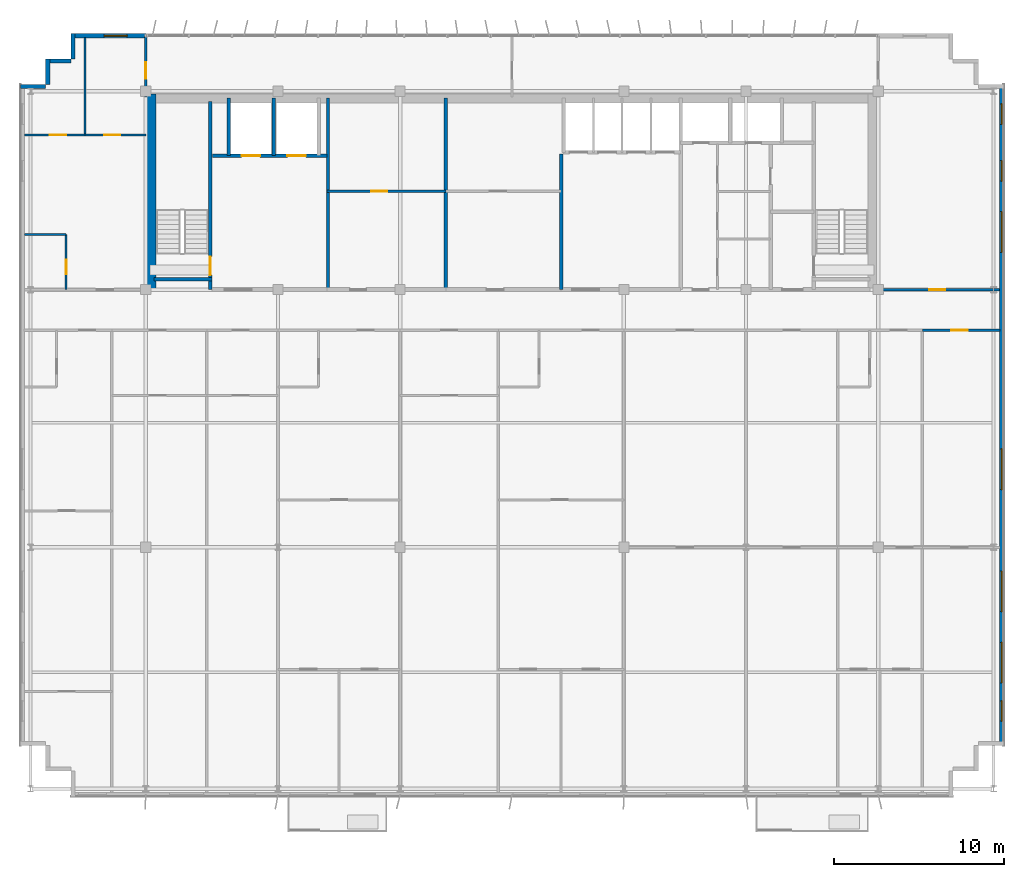
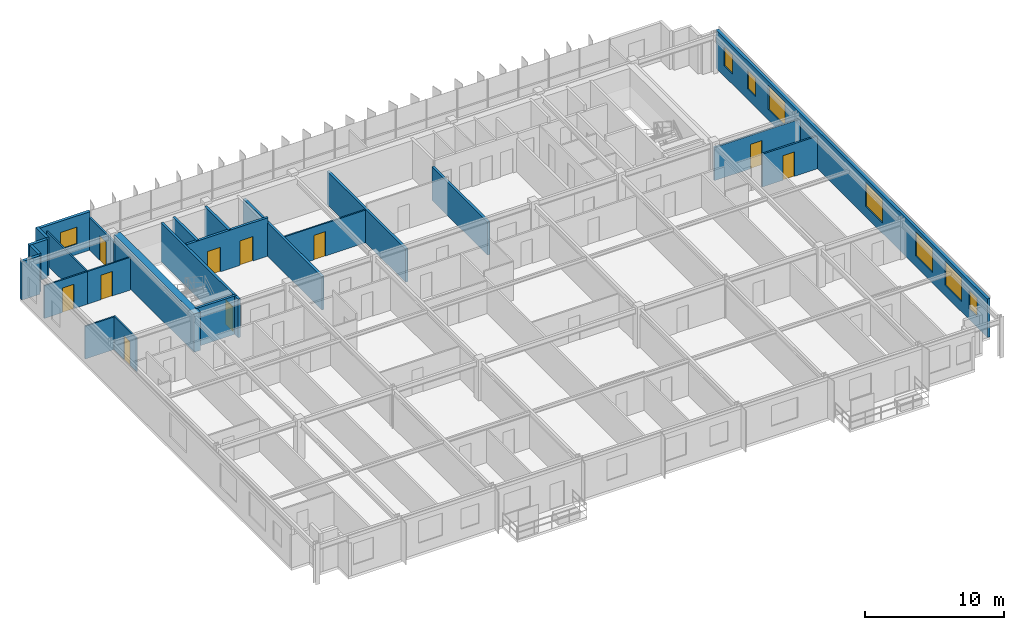
# One storey, part 19 of 23: 24 walls, 10 doors, 8 windows, 18 openings.
"""IFC4 building model written with IfcOpenShell, lengths in metres."""

from ifc_helpers import new_model, si_unit, direction, frame, frame_2d, origin, place, context, subcontext, project, spatial, rectangle, extrude, source, transform, mapped, material, layer, layer_set, type_object, element, fill, save


model = new_model("IFC4")

# Units and contexts
model_context = context("Model", 3, precision=1e-05, world=origin(), true_north=direction((0.0, 1.0)))
body_context = subcontext(model_context, "Body", "Model", "MODEL_VIEW")
ifc_project = project(units=[si_unit("LENGTHUNIT", "METRE"), si_unit("AREAUNIT", "SQUARE_METRE"), si_unit("VOLUMEUNIT", "CUBIC_METRE"), si_unit("PLANEANGLEUNIT", "RADIAN"), si_unit("MASSUNIT", "GRAM", prefix="KILO")], contexts=[model_context])

# Site, building, storey
site_placement = place(None, origin())
site = spatial("IfcSite", under=ifc_project, at=site_placement, CompositionType="ELEMENT")
building_placement = place(site_placement, origin())
building = spatial("IfcBuilding", under=site, at=building_placement, Name="Trelvane Seafront Commons", CompositionType="ELEMENT")
storey_placement = place(building_placement, frame((0.0, 0.0, 259.5)))
storey = spatial("IfcBuildingStorey", under=building, at=storey_placement, Name="L67", CompositionType="ELEMENT", Elevation=259.5)

# Wall, opening, window
ifc_material_1 = material(Name="Precast concrete C40/50", Category="concrete")
ifc_layer_1 = layer(ifc_material_1, 0.239990234375, Name="ARCH-WALL-EXT240")
ifc_layer_set_1 = layer_set([ifc_layer_1], Name="Precast concrete C40/50")
wall_type_1 = type_object("IfcWallType", Name="ARCH-WALL-EXT240", PredefinedType="SOLIDWALL", material=ifc_layer_set_1)
wall_1_placement = place(storey_placement, frame((11.300048828125, 48.3701171875, 0.0), z_axis=(0.0, 0.0, 1.0), x_axis=(1.0, 0.0, 0.0)))
wall_1 = element("IfcWall", 1, at=wall_1_placement, inside=storey, type_object=wall_type_1, Name="EW-L67-NW-1340", PredefinedType="SOLIDWALL", context=body_context, shape_type="SweptSolid", body=[
    extrude(rectangle(XDim=4.300048828125, YDim=0.239990234375, at=frame_2d((2.14990234375, 0.0))), origin(), (0.0, 0.0, 1.0), 3.3701171875),
])
opening_1_placement = place(wall_1_placement, frame((1.847900390625, 0.0, 0.89990234375)))
opening_1 = element("IfcOpeningElement", 2, at=opening_1_placement, cuts=wall_1, Name="Opening W09", PredefinedType="OPENING", context=body_context, shape_type="SweptSolid", body=[
    extrude(rectangle(XDim=1.35009765625, YDim=1.5, at=frame_2d((0.675048828125, 0.75))), frame((0.0, 0.1298828125, 0.0), z_axis=(0.0, -1.0, 0.0), x_axis=(1.0, 0.0, 0.0)), (0.0, 0.0, 1.0), 0.260009765625),
])
ifc_material_2 = material(Name="Low-E coastal double glazing", Category="glass")
window_type_1 = type_object("IfcWindowType", Name="ARCH-WIN-W09", PartitioningType="SINGLE_PANEL", PredefinedType="WINDOW", material=ifc_material_2)
shared_shape_1 = source(origin(), body_context, "Body", "SweptSolid", [
    extrude(rectangle(XDim=1.35009765625, YDim=1.5, at=frame_2d((0.675048828125, 0.75))), frame((0.0, 0.030029296875, 0.0), z_axis=(0.0, -1.0, 0.0), x_axis=(1.0, 0.0, 0.0)), (0.0, 0.0, 1.0), 0.06005859375),
])
window_1_placement = place(opening_1_placement, origin())
window_1 = element("IfcWindow", 3, at=window_1_placement, inside=storey, type_object=window_type_1, Name="WIN-L67-01594", OverallHeight=1.5, OverallWidth=1.35009765625, PartitioningType="SINGLE_PANEL", PredefinedType="WINDOW", context=body_context, shape_type="MappedRepresentation", body=[
    mapped(shared_shape_1, transform((0.0, 0.0, 0.0), x_axis=(1.0, 0.0, 0.0), y_axis=(0.0, 1.0, 0.0), z_axis=(0.0, 0.0, 1.0), scale=1.0)),
])
fill(opening_1, window_1)

# Walls
for number, where, z_axis, x_axis, name in (
    (4, (8.199951171875, 45.3798828125, 0.0), (0.0, 0.0, 1.0), (1.0, 0.0, 0.0), "EW-L67-01346"),
    (5, (9.820068359375, 45.5, 0.0), (0.0, 0.0, 1.0), (0.0, 1.0, 0.0), "EW-L67-01347"),
    (6, (9.699951171875, 46.8798828125, 0.0), (0.0, 0.0, 1.0), (1.0, 0.0, 0.0), "EW-L67-01348"),
    (7, (11.320068359375, 47.0, 0.0), (0.0, 0.0, 1.0), (0.0, 1.0, 0.0), "EW-L67-01349"),
):
    element("IfcWall", number, at=place(storey_placement, frame(where, z_axis=z_axis, x_axis=x_axis)), inside=storey, type_object=wall_type_1, Name=name, PredefinedType="SOLIDWALL", context=body_context, shape_type="SweptSolid", body=[
        extrude(rectangle(XDim=1.5, YDim=0.239990234375, at=frame_2d((0.75, 0.0))), origin(), (0.0, 0.0, 1.0), 3.3701171875),
    ])

# Wall, openings, windows
wall_2_placement = place(storey_placement, frame((66.080078125, 45.5, 0.0), z_axis=(0.0, 0.0, 1.0), x_axis=(0.0, -1.0, 0.0)))
wall_2 = element("IfcWall", 8, at=wall_2_placement, inside=storey, type_object=wall_type_1, Name="EW-L67-01354", PredefinedType="SOLIDWALL", context=body_context, shape_type="SweptSolid", body=[
    extrude(rectangle(XDim=39.0, YDim=0.239990234375, at=frame_2d((19.5, 0.0))), origin(), (0.0, 0.0, 1.0), 3.3701171875),
])
opening_2_placement = place(wall_2_placement, frame((36.35009765625, 0.0, 0.919921875)))
opening_2 = element("IfcOpeningElement", 9, at=opening_2_placement, cuts=wall_2, Name="Opening W05", PredefinedType="OPENING", context=body_context, shape_type="SweptSolid", body=[
    extrude(rectangle(XDim=1.199951171875, YDim=1.64990234375, at=frame_2d((0.60009765625, 0.824951171875))), frame((0.0, 0.1298828125, 0.0), z_axis=(0.0, -1.0, 0.0), x_axis=(1.0, 0.0, 0.0)), (0.0, 0.0, 1.0), 0.260009765625),
])
opening_3_placement = place(wall_2_placement, frame((32.89990234375, 0.0, 0.919921875)))
opening_3 = element("IfcOpeningElement", 10, at=opening_3_placement, cuts=wall_2, Name="Opening W08", PredefinedType="OPENING", context=body_context, shape_type="SweptSolid", body=[
    extrude(rectangle(XDim=2.39990234375, YDim=2.10009765625, at=frame_2d((1.199951171875, 1.050048828125))), frame((0.0, 0.1298828125, 0.0), z_axis=(0.0, -1.0, 0.0), x_axis=(1.0, 0.0, 0.0)), (0.0, 0.0, 1.0), 0.260009765625),
])
opening_4_placement = place(wall_2_placement, frame((28.699951171875, 0.0, 0.919921875)))
opening_4 = element("IfcOpeningElement", 11, at=opening_4_placement, cuts=wall_2, Name="Opening W08", PredefinedType="OPENING", context=body_context, shape_type="SweptSolid", body=[
    extrude(rectangle(XDim=2.39990234375, YDim=2.10009765625, at=frame_2d((1.199951171875, 1.050048828125))), frame((0.0, 0.1298828125, 0.0), z_axis=(0.0, -1.0, 0.0), x_axis=(1.0, 0.0, 0.0)), (0.0, 0.0, 1.0), 0.260009765625),
])
opening_5_placement = place(wall_2_placement, frame((21.5, 0.0, 0.919921875)))
opening_5 = element("IfcOpeningElement", 12, at=opening_5_placement, cuts=wall_2, Name="Opening W08", PredefinedType="OPENING", context=body_context, shape_type="SweptSolid", body=[
    extrude(rectangle(XDim=2.39990234375, YDim=2.10009765625, at=frame_2d((1.199951171875, 1.050048828125))), frame((0.0, 0.1298828125, 0.0), z_axis=(0.0, -1.0, 0.0), x_axis=(1.0, 0.0, 0.0)), (0.0, 0.0, 1.0), 0.260009765625),
])
opening_6_placement = place(wall_2_placement, frame((7.5, 0.0, 0.919921875)))
opening_6 = element("IfcOpeningElement", 13, at=opening_6_placement, cuts=wall_2, Name="Opening W08", PredefinedType="OPENING", context=body_context, shape_type="SweptSolid", body=[
    extrude(rectangle(XDim=2.39990234375, YDim=2.10009765625, at=frame_2d((1.199951171875, 1.050048828125))), frame((0.0, 0.1298828125, 0.0), z_axis=(0.0, -1.0, 0.0), x_axis=(1.0, 0.0, 0.0)), (0.0, 0.0, 1.0), 0.260009765625),
])
opening_7_placement = place(wall_2_placement, frame((4.5, 0.0, 0.919921875)))
opening_7 = element("IfcOpeningElement", 14, at=opening_7_placement, cuts=wall_2, Name="Opening W05", PredefinedType="OPENING", context=body_context, shape_type="SweptSolid", body=[
    extrude(rectangle(XDim=1.199951171875, YDim=1.64990234375, at=frame_2d((0.60009765625, 0.824951171875))), frame((0.0, 0.1298828125, 0.0), z_axis=(0.0, -1.0, 0.0), x_axis=(1.0, 0.0, 0.0)), (0.0, 0.0, 1.0), 0.260009765625),
])
opening_8_placement = place(wall_2_placement, frame((1.14990234375, 0.0, 0.919921875)))
opening_8 = element("IfcOpeningElement", 15, at=opening_8_placement, cuts=wall_2, Name="Opening W05", PredefinedType="OPENING", context=body_context, shape_type="SweptSolid", body=[
    extrude(rectangle(XDim=1.199951171875, YDim=1.64990234375, at=frame_2d((0.60009765625, 0.824951171875))), frame((0.0, 0.1298828125, 0.0), z_axis=(0.0, -1.0, 0.0), x_axis=(1.0, 0.0, 0.0)), (0.0, 0.0, 1.0), 0.260009765625),
])
window_type_2 = type_object("IfcWindowType", Name="ARCH-WIN-W08", PartitioningType="SINGLE_PANEL", PredefinedType="WINDOW", material=ifc_material_2)
shared_shape_2 = source(origin(), body_context, "Body", "SweptSolid", [
    extrude(rectangle(XDim=2.39990234375, YDim=2.10009765625, at=frame_2d((1.199951171875, 1.050048828125))), frame((0.0, 0.030029296875, 0.0), z_axis=(0.0, -1.0, 0.0), x_axis=(1.0, 0.0, 0.0)), (0.0, 0.0, 1.0), 0.06005859375),
])
window_2_placement = place(opening_3_placement, origin())
window_2 = element("IfcWindow", 16, at=window_2_placement, inside=storey, type_object=window_type_2, Name="WIN-L67-EW-01603", OverallHeight=2.10009765625, OverallWidth=2.39990234375, PartitioningType="SINGLE_PANEL", PredefinedType="WINDOW", context=body_context, shape_type="MappedRepresentation", body=[
    mapped(shared_shape_2, transform((0.0, 0.0, 0.0), x_axis=(1.0, 0.0, 0.0), y_axis=(0.0, 1.0, 0.0), z_axis=(0.0, 0.0, 1.0), scale=1.0)),
])
fill(opening_3, window_2)
window_3_placement = place(opening_4_placement, origin())
window_3 = element("IfcWindow", 17, at=window_3_placement, inside=storey, type_object=window_type_2, Name="WIN-L67-EW-01604", OverallHeight=2.10009765625, OverallWidth=2.39990234375, PartitioningType="SINGLE_PANEL", PredefinedType="WINDOW", context=body_context, shape_type="MappedRepresentation", body=[
    mapped(shared_shape_2, transform((0.0, 0.0, 0.0), x_axis=(1.0, 0.0, 0.0), y_axis=(0.0, 1.0, 0.0), z_axis=(0.0, 0.0, 1.0), scale=1.0)),
])
fill(opening_4, window_3)
window_4_placement = place(opening_5_placement, origin())
window_4 = element("IfcWindow", 18, at=window_4_placement, inside=storey, type_object=window_type_2, Name="WIN-L67-EW-01605", OverallHeight=2.10009765625, OverallWidth=2.39990234375, PartitioningType="SINGLE_PANEL", PredefinedType="WINDOW", context=body_context, shape_type="MappedRepresentation", body=[
    mapped(shared_shape_2, transform((0.0, 0.0, 0.0), x_axis=(1.0, 0.0, 0.0), y_axis=(0.0, 1.0, 0.0), z_axis=(0.0, 0.0, 1.0), scale=1.0)),
])
fill(opening_5, window_4)
window_5_placement = place(opening_6_placement, origin())
window_5 = element("IfcWindow", 19, at=window_5_placement, inside=storey, type_object=window_type_2, Name="WIN-L67-EW-01606", OverallHeight=2.10009765625, OverallWidth=2.39990234375, PartitioningType="SINGLE_PANEL", PredefinedType="WINDOW", context=body_context, shape_type="MappedRepresentation", body=[
    mapped(shared_shape_2, transform((0.0, 0.0, 0.0), x_axis=(1.0, 0.0, 0.0), y_axis=(0.0, 1.0, 0.0), z_axis=(0.0, 0.0, 1.0), scale=1.0)),
])
fill(opening_6, window_5)
window_type_3 = type_object("IfcWindowType", Name="ARCH-WIN-W05", PartitioningType="SINGLE_PANEL", PredefinedType="WINDOW", material=ifc_material_2)
shared_shape_3 = source(origin(), body_context, "Body", "SweptSolid", [
    extrude(rectangle(XDim=1.199951171875, YDim=1.64990234375, at=frame_2d((0.60009765625, 0.824951171875))), frame((0.0, 0.030029296875, 0.0), z_axis=(0.0, -1.0, 0.0), x_axis=(1.0, 0.0, 0.0)), (0.0, 0.0, 1.0), 0.06005859375),
])
window_6_placement = place(opening_2_placement, origin())
window_6 = element("IfcWindow", 20, at=window_6_placement, inside=storey, type_object=window_type_3, Name="WIN-L67-EW-01602", OverallHeight=1.64990234375, OverallWidth=1.199951171875, PartitioningType="SINGLE_PANEL", PredefinedType="WINDOW", context=body_context, shape_type="MappedRepresentation", body=[
    mapped(shared_shape_3, transform((0.0, 0.0, 0.0), x_axis=(1.0, 0.0, 0.0), y_axis=(0.0, 1.0, 0.0), z_axis=(0.0, 0.0, 1.0), scale=1.0)),
])
fill(opening_2, window_6)
window_7_placement = place(opening_7_placement, origin())
window_7 = element("IfcWindow", 21, at=window_7_placement, inside=storey, type_object=window_type_3, Name="WIN-L67-EW-01607", OverallHeight=1.64990234375, OverallWidth=1.199951171875, PartitioningType="SINGLE_PANEL", PredefinedType="WINDOW", context=body_context, shape_type="MappedRepresentation", body=[
    mapped(shared_shape_3, transform((0.0, 0.0, 0.0), x_axis=(1.0, 0.0, 0.0), y_axis=(0.0, 1.0, 0.0), z_axis=(0.0, 0.0, 1.0), scale=1.0)),
])
fill(opening_7, window_7)
window_8_placement = place(opening_8_placement, origin())
window_8 = element("IfcWindow", 22, at=window_8_placement, inside=storey, type_object=window_type_3, Name="WIN-L67-EW-01608", OverallHeight=1.64990234375, OverallWidth=1.199951171875, PartitioningType="SINGLE_PANEL", PredefinedType="WINDOW", context=body_context, shape_type="MappedRepresentation", body=[
    mapped(shared_shape_3, transform((0.0, 0.0, 0.0), x_axis=(1.0, 0.0, 0.0), y_axis=(0.0, 1.0, 0.0), z_axis=(0.0, 0.0, 1.0), scale=1.0)),
])
fill(opening_8, window_8)

# Wall, opening, door
ifc_material_3 = material(Name="Gypsum Drywall Acoustic Partition")
ifc_layer_2 = layer(ifc_material_3, 0.1201171875, Name="ARCH-WALL-PART120")
ifc_layer_set_2 = layer_set([ifc_layer_2], Name="Gypsum Drywall Acoustic Partition")
wall_type_2 = type_object("IfcWallType", Name="ARCH-WALL-PART120", PredefinedType="PARTITIONING", material=ifc_layer_set_2)
wall_3_placement = place(storey_placement, frame((26.300048828125, 39.199951171875, 0.0), z_axis=(0.0, 0.0, 1.0), x_axis=(1.0, 0.0, 0.0)))
wall_3 = element("IfcWall", 23, at=wall_3_placement, inside=storey, type_object=wall_type_2, Name="W-L67-FREED-PL-MID-014", PredefinedType="PARTITIONING", context=body_context, shape_type="SweptSolid", body=[
    extrude(rectangle(XDim=7.0, YDim=0.1201171875, at=frame_2d((3.5, 0.0))), origin(), (0.0, 0.0, 1.0), 2.8701171875),
])
opening_9_placement = place(wall_3_placement, frame((2.60009765625, 0.0, 0.0)))
opening_9 = element("IfcOpeningElement", 24, at=opening_9_placement, cuts=wall_3, Name="Opening D-L67-06", PredefinedType="OPENING", context=body_context, shape_type="SweptSolid", body=[
    extrude(rectangle(XDim=0.949951171875, YDim=2.14990234375, at=frame_2d((0.47509765625, 1.074951171875))), frame((0.0, 0.070068359375, 0.0), z_axis=(0.0, -1.0, 0.0), x_axis=(1.0, 0.0, 0.0)), (0.0, 0.0, 1.0), 0.14013671875),
])
ifc_material_4 = material(Name="Acoustic timber door leaf", Category="wood")
door_type_1 = type_object("IfcDoorType", Name="ARCH-DR-INT950", OperationType="NOTDEFINED", PredefinedType="DOOR", material=ifc_material_4)
shared_shape_4 = source(origin(), body_context, "Body", "SweptSolid", [
    extrude(rectangle(XDim=0.949951171875, YDim=2.14990234375, at=frame_2d((0.47509765625, 1.074951171875))), frame((0.0, 0.02490234375, 0.0), z_axis=(0.0, -1.0, 0.0), x_axis=(1.0, 0.0, 0.0)), (0.0, 0.0, 1.0), 0.050048828125),
])
door_1_placement = place(opening_9_placement, origin())
door_1 = element("IfcDoor", 25, at=door_1_placement, inside=storey, type_object=door_type_1, Name="L67 Housekeeping Store Door", OperationType="SINGLE_SWING_RIGHT", OverallHeight=2.14990234375, OverallWidth=0.949951171875, PredefinedType="DOOR", context=body_context, shape_type="MappedRepresentation", body=[
    mapped(shared_shape_4, transform((0.0, 0.0, 0.0), x_axis=(1.0, 0.0, 0.0), y_axis=(0.0, 1.0, 0.0), z_axis=(0.0, 0.0, 1.0), scale=1.0)),
])
fill(opening_9, door_1)

wall_4_placement = place(storey_placement, frame((10.89990234375, 33.39990234375, 0.0), z_axis=(0.0, 0.0, 1.0), x_axis=(0.0, 1.0, 0.0)))
wall_4 = element("IfcWall", 26, at=wall_4_placement, inside=storey, type_object=wall_type_2, Name="W-L67-NW-BE-036", PredefinedType="PARTITIONING", context=body_context, shape_type="SweptSolid", body=[
    extrude(rectangle(XDim=3.25, YDim=0.1201171875, at=frame_2d((1.625, 0.0))), origin(), (0.0, 0.0, 1.0), 2.919921875),
])
opening_10_placement = place(wall_4_placement, frame((0.89990234375, 0.0, 0.0)))
opening_10 = element("IfcOpeningElement", 27, at=opening_10_placement, cuts=wall_4, Name="Opening D-L67-23", PredefinedType="OPENING", context=body_context, shape_type="SweptSolid", body=[
    extrude(rectangle(XDim=0.85009765625, YDim=2.10009765625, at=frame_2d((0.425048828125, 1.050048828125))), frame((0.0, 0.070068359375, 0.0), z_axis=(0.0, -1.0, 0.0), x_axis=(1.0, 0.0, 0.0)), (0.0, 0.0, 1.0), 0.14013671875),
])
door_type_2 = type_object("IfcDoorType", Name="ARCH-DR-INT850", OperationType="NOTDEFINED", PredefinedType="DOOR", material=ifc_material_4)
shared_shape_5 = source(origin(), body_context, "Body", "SweptSolid", [
    extrude(rectangle(XDim=0.85009765625, YDim=2.10009765625, at=frame_2d((0.425048828125, 1.050048828125))), frame((0.0, 0.02490234375, 0.0), z_axis=(0.0, -1.0, 0.0), x_axis=(1.0, 0.0, 0.0)), (0.0, 0.0, 1.0), 0.050048828125),
])
door_2_placement = place(opening_10_placement, origin())
door_2 = element("IfcDoor", 28, at=door_2_placement, inside=storey, type_object=door_type_2, Name="L67 Door 23", OperationType="SINGLE_SWING_LEFT", OverallHeight=2.10009765625, OverallWidth=0.85009765625, PredefinedType="DOOR", context=body_context, shape_type="MappedRepresentation", body=[
    mapped(shared_shape_5, transform((0.0, 0.0, 0.0), x_axis=(1.0, 0.0, 0.0), y_axis=(0.0, 1.0, 0.0), z_axis=(0.0, 0.0, 1.0), scale=1.0)),
])
fill(opening_10, door_2)

# Wall
wall_5_placement = place(storey_placement, frame((8.449951171875, 36.64990234375, 0.0), z_axis=(0.0, 0.0, 1.0), x_axis=(1.0, 0.0, 0.0)))
element("IfcWall", 29, at=wall_5_placement, inside=storey, type_object=wall_type_2, Name="W-L67-NW-BN-037", PredefinedType="PARTITIONING", context=body_context, shape_type="SweptSolid", body=[
    extrude(rectangle(XDim=2.449951171875, YDim=0.1201171875, at=frame_2d((1.22509765625, 0.0))), origin(), (0.0, 0.0, 1.0), 2.8701171875),
])

# Wall, opening, door
wall_6_placement = place(storey_placement, frame((8.449951171875, 42.52001953125, 0.0), z_axis=(0.0, 0.0, 1.0), x_axis=(1.0, 0.0, 0.0)))
wall_6 = element("IfcWall", 30, at=wall_6_placement, inside=storey, type_object=wall_type_2, Name="W-L67-NW-KB1-038", PredefinedType="PARTITIONING", context=body_context, shape_type="SweptSolid", body=[
    extrude(rectangle(XDim=3.574951171875, YDim=0.1201171875, at=frame_2d((1.78759765625, 0.0))), origin(), (0.0, 0.0, 1.0), 2.8701171875),
])
opening_11_placement = place(wall_6_placement, frame((1.4990234375, 0.0, 0.0)))
opening_11 = element("IfcOpeningElement", 31, at=opening_11_placement, cuts=wall_6, Name="Opening D-L67-24", PredefinedType="OPENING", context=body_context, shape_type="SweptSolid", body=[
    extrude(rectangle(XDim=0.949951171875, YDim=2.14990234375, at=frame_2d((0.47509765625, 1.074951171875))), frame((0.0, 0.070068359375, 0.0), z_axis=(0.0, -1.0, 0.0), x_axis=(1.0, 0.0, 0.0)), (0.0, 0.0, 1.0), 0.14013671875),
])
door_3_placement = place(opening_11_placement, origin())
door_3 = element("IfcDoor", 32, at=door_3_placement, inside=storey, type_object=door_type_1, Name="L67 Door 24", OperationType="SINGLE_SWING_RIGHT", OverallHeight=2.14990234375, OverallWidth=0.949951171875, PredefinedType="DOOR", context=body_context, shape_type="MappedRepresentation", body=[
    mapped(shared_shape_4, transform((0.0, 0.0, 0.0), x_axis=(1.0, 0.0, 0.0), y_axis=(0.0, 1.0, 0.0), z_axis=(0.0, 0.0, 1.0), scale=1.0)),
])
fill(opening_11, door_3)

wall_7_placement = place(storey_placement, frame((12.02490234375, 42.52001953125, 0.0), z_axis=(0.0, 0.0, 1.0), x_axis=(1.0, 0.0, 0.0)))
wall_7 = element("IfcWall", 33, at=wall_7_placement, inside=storey, type_object=wall_type_2, Name="W-L67-NW-KB2-039", PredefinedType="PARTITIONING", context=body_context, shape_type="SweptSolid", body=[
    extrude(rectangle(XDim=3.5751953125, YDim=0.1201171875, at=frame_2d((1.78759765625, 0.0))), origin(), (0.0, 0.0, 1.0), 2.8701171875),
])
opening_12_placement = place(wall_7_placement, frame((1.1259765625, 0.0, 0.0)))
opening_12 = element("IfcOpeningElement", 34, at=opening_12_placement, cuts=wall_7, Name="Opening D-L67-25", PredefinedType="OPENING", context=body_context, shape_type="SweptSolid", body=[
    extrude(rectangle(XDim=0.949951171875, YDim=2.14990234375, at=frame_2d((0.47509765625, 1.074951171875))), frame((0.0, 0.070068359375, 0.0), z_axis=(0.0, -1.0, 0.0), x_axis=(1.0, 0.0, 0.0)), (0.0, 0.0, 1.0), 0.14013671875),
])
door_4_placement = place(opening_12_placement, origin())
door_4 = element("IfcDoor", 35, at=door_4_placement, inside=storey, type_object=door_type_1, Name="L67 Door 25", OperationType="SINGLE_SWING_LEFT", OverallHeight=2.14990234375, OverallWidth=0.949951171875, PredefinedType="DOOR", context=body_context, shape_type="MappedRepresentation", body=[
    mapped(shared_shape_4, transform((0.0, 0.0, 0.0), x_axis=(1.0, 0.0, 0.0), y_axis=(0.0, 1.0, 0.0), z_axis=(0.0, 0.0, 1.0), scale=1.0)),
])
fill(opening_12, door_4)

# Wall
wall_8_placement = place(storey_placement, frame((12.02490234375, 42.52001953125, 0.0), z_axis=(0.0, 0.0, 1.0), x_axis=(0.0, 1.0, 0.0)))
element("IfcWall", 36, at=wall_8_placement, inside=storey, type_object=wall_type_2, Name="W-L67-NW-KBDV-040", PredefinedType="PARTITIONING", context=body_context, shape_type="SweptSolid", body=[
    extrude(rectangle(XDim=5.739990234375, YDim=0.1201171875, at=frame_2d((2.8701171875, 0.0))), origin(), (0.0, 0.0, 1.0), 2.919921875),
])

# Wall, opening, door
ifc_layer_3 = layer(ifc_material_3, 0.14990234375, Name="ARCH-WALL-PART150")
ifc_layer_set_3 = layer_set([ifc_layer_3], Name="Gypsum Drywall Acoustic Partition")
wall_type_3 = type_object("IfcWallType", Name="ARCH-WALL-PART150", PredefinedType="PARTITIONING", material=ifc_layer_set_3)
wall_9_placement = place(storey_placement, frame((58.800048828125, 33.39990234375, 0.0), z_axis=(0.0, 0.0, 1.0), x_axis=(1.0, 0.0, 0.0)))
wall_9 = element("IfcWall", 37, at=wall_9_placement, inside=storey, type_object=wall_type_3, Name="W-L67-NE-ENT-042", PredefinedType="PARTITIONING", context=body_context, shape_type="SweptSolid", body=[
    extrude(rectangle(XDim=7.14990234375, YDim=0.14990234375, at=frame_2d((3.574951171875, 0.0))), origin(), (0.0, 0.0, 1.0), 2.919921875),
])
opening_13_placement = place(wall_9_placement, frame((3.0, 0.0, 0.0)))
opening_13 = element("IfcOpeningElement", 38, at=opening_13_placement, cuts=wall_9, Name="Opening FD-L67-27", PredefinedType="OPENING", context=body_context, shape_type="SweptSolid", body=[
    extrude(rectangle(XDim=0.949951171875, YDim=2.14990234375, at=frame_2d((0.47509765625, 1.074951171875))), frame((0.0, 0.0849609375, 0.0), z_axis=(0.0, -1.0, 0.0), x_axis=(1.0, 0.0, 0.0)), (0.0, 0.0, 1.0), 0.169921875),
])
ifc_material_5 = material(Name="Powder-coated aluminium frame", Category="aluminium")
door_type_3 = type_object("IfcDoorType", Name="ARCH-DR-FD60-950", OperationType="NOTDEFINED", PredefinedType="DOOR", material=ifc_material_5)
door_5_placement = place(opening_13_placement, origin())
door_5 = element("IfcDoor", 39, at=door_5_placement, inside=storey, type_object=door_type_3, Name="L67 NE Suite Entrance Door", OperationType="SINGLE_SWING_LEFT", OverallHeight=2.14990234375, OverallWidth=0.949951171875, PredefinedType="DOOR", context=body_context, shape_type="MappedRepresentation", body=[
    mapped(shared_shape_4, transform((0.0, 0.0, 0.0), x_axis=(1.0, 0.0, 0.0), y_axis=(0.0, 1.0, 0.0), z_axis=(0.0, 0.0, 1.0), scale=1.0)),
])
fill(opening_13, door_5)

wall_10_placement = place(storey_placement, frame((15.60009765625, 44.75, 0.0), z_axis=(0.0, 0.0, 1.0), x_axis=(0.0, 1.0, 0.0)))
wall_10 = element("IfcWall", 40, at=wall_10_placement, inside=storey, type_object=wall_type_3, Name="W-L67-N-LINK-W-044", PredefinedType="PARTITIONING", context=body_context, shape_type="SweptSolid", body=[
    extrude(rectangle(XDim=3.610107421875, YDim=0.14990234375, at=frame_2d((1.80517578125, 0.0))), origin(), (0.0, 0.0, 1.0), 2.8701171875),
])
opening_14_placement = place(wall_10_placement, frame((1.10009765625, 0.0, 0.0)))
opening_14 = element("IfcOpeningElement", 41, at=opening_14_placement, cuts=wall_10, Name="Opening FD-L67-29", PredefinedType="OPENING", context=body_context, shape_type="SweptSolid", body=[
    extrude(rectangle(XDim=0.949951171875, YDim=2.14990234375, at=frame_2d((0.47509765625, 1.074951171875))), frame((0.0, 0.0849609375, 0.0), z_axis=(0.0, -1.0, 0.0), x_axis=(1.0, 0.0, 0.0)), (0.0, 0.0, 1.0), 0.169921875),
])
door_6_placement = place(opening_14_placement, origin())
door_6 = element("IfcDoor", 42, at=door_6_placement, inside=storey, type_object=door_type_3, Name="L67 Door 29", OperationType="SINGLE_SWING_LEFT", OverallHeight=2.14990234375, OverallWidth=0.949951171875, PredefinedType="DOOR", context=body_context, shape_type="MappedRepresentation", body=[
    mapped(shared_shape_4, transform((0.0, 0.0, 0.0), x_axis=(1.0, 0.0, 0.0), y_axis=(0.0, 1.0, 0.0), z_axis=(0.0, 0.0, 1.0), scale=1.0)),
])
fill(opening_14, door_6)

wall_11_placement = place(storey_placement, frame((61.39990234375, 31.0, 0.0), z_axis=(0.0, 0.0, 1.0), x_axis=(1.0, 0.0, 0.0)))
wall_11 = element("IfcWall", 43, at=wall_11_placement, inside=storey, type_object=wall_type_3, Name="W-L67-CS-BAY-10-091", PredefinedType="PARTITIONING", context=body_context, shape_type="SweptSolid", body=[
    extrude(rectangle(XDim=4.5751953125, YDim=0.14990234375, at=frame_2d((2.28759765625, 0.0))), origin(), (0.0, 0.0, 1.0), 2.8701171875),
])
opening_15_placement = place(wall_11_placement, frame((1.717041015625, 0.0, 0.0)))
opening_15 = element("IfcOpeningElement", 44, at=opening_15_placement, cuts=wall_11, Name="Opening FD-L67-60", PredefinedType="OPENING", context=body_context, shape_type="SweptSolid", body=[
    extrude(rectangle(XDim=0.949951171875, YDim=2.14990234375, at=frame_2d((0.47509765625, 1.074951171875))), frame((0.0, 0.0849609375, 0.0), z_axis=(0.0, -1.0, 0.0), x_axis=(1.0, 0.0, 0.0)), (0.0, 0.0, 1.0), 0.169921875),
])
door_7_placement = place(opening_15_placement, origin())
door_7 = element("IfcDoor", 45, at=door_7_placement, inside=storey, type_object=door_type_3, Name="L67 Bay 10 Entrance Door", OperationType="SINGLE_SWING_RIGHT", OverallHeight=2.14990234375, OverallWidth=0.949951171875, PredefinedType="DOOR", context=body_context, shape_type="MappedRepresentation", body=[
    mapped(shared_shape_4, transform((0.0, 0.0, 0.0), x_axis=(1.0, 0.0, 0.0), y_axis=(0.0, 1.0, 0.0), z_axis=(0.0, 0.0, 1.0), scale=1.0)),
])
fill(opening_15, door_7)

# Wall, openings, doors
ifc_material_6 = material(Name="Concrete C40/50", Category="concrete")
ifc_layer_4 = layer(ifc_material_6, 0.199951171875, Name="ARCH-WALL-SHAFT200")
ifc_layer_set_4 = layer_set([ifc_layer_4], Name="Concrete C40/50")
wall_type_4 = type_object("IfcWallType", Name="ARCH-WALL-SHAFT200", PredefinedType="SOLIDWALL", material=ifc_layer_set_4)
wall_12_placement = place(storey_placement, frame((19.550048828125, 41.300048828125, 0.0), z_axis=(0.0, 0.0, 1.0), x_axis=(1.0, 0.0, 0.0)))
wall_12 = element("IfcWall", 46, at=wall_12_placement, inside=storey, type_object=wall_type_4, Name="W-L67-FFL-FRONT-008", PredefinedType="SOLIDWALL", context=body_context, shape_type="SweptSolid", body=[
    extrude(rectangle(XDim=6.75, YDim=0.199951171875, at=frame_2d((3.375, 0.0))), origin(), (0.0, 0.0, 1.0), 3.3701171875),
])
opening_16_placement = place(wall_12_placement, frame((1.699951171875, 0.0, 0.0)))
opening_16 = element("IfcOpeningElement", 47, at=opening_16_placement, cuts=wall_12, Name="Opening LD-FF1-L67", PredefinedType="OPENING", context=body_context, shape_type="SweptSolid", body=[
    extrude(rectangle(XDim=1.10009765625, YDim=2.14990234375, at=frame_2d((0.550048828125, 1.074951171875))), frame((0.0, 0.10986328125, 0.0), z_axis=(0.0, -1.0, 0.0), x_axis=(1.0, 0.0, 0.0)), (0.0, 0.0, 1.0), 0.219970703125),
])
opening_17_placement = place(wall_12_placement, frame((4.39990234375, 0.0, 0.0)))
opening_17 = element("IfcOpeningElement", 48, at=opening_17_placement, cuts=wall_12, Name="Opening LD-FF2-L67", PredefinedType="OPENING", context=body_context, shape_type="SweptSolid", body=[
    extrude(rectangle(XDim=1.10009765625, YDim=2.14990234375, at=frame_2d((0.550048828125, 1.074951171875))), frame((0.0, 0.10986328125, 0.0), z_axis=(0.0, -1.0, 0.0), x_axis=(1.0, 0.0, 0.0)), (0.0, 0.0, 1.0), 0.219970703125),
])
ifc_material_7 = material(Name="Stainless steel balustrade", Category="steel")
door_type_4 = type_object("IfcDoorType", Name="ARCH-DR-LD1100", OperationType="DOUBLE_DOOR_SLIDING", PredefinedType="DOOR", material=ifc_material_7)
shared_shape_6 = source(origin(), body_context, "Body", "SweptSolid", [
    extrude(rectangle(XDim=1.10009765625, YDim=2.14990234375, at=frame_2d((0.550048828125, 1.074951171875))), frame((0.0, 0.02490234375, 0.0), z_axis=(0.0, -1.0, 0.0), x_axis=(1.0, 0.0, 0.0)), (0.0, 0.0, 1.0), 0.050048828125),
])
door_8_placement = place(opening_16_placement, origin())
door_8 = element("IfcDoor", 49, at=door_8_placement, inside=storey, type_object=door_type_4, Name="L67 Firefighting Lift FFL-1 Landing Door", OperationType="DOUBLE_DOOR_SLIDING", OverallHeight=2.14990234375, OverallWidth=1.10009765625, PredefinedType="DOOR", context=body_context, shape_type="MappedRepresentation", body=[
    mapped(shared_shape_6, transform((0.0, 0.0, 0.0), x_axis=(1.0, 0.0, 0.0), y_axis=(0.0, 1.0, 0.0), z_axis=(0.0, 0.0, 1.0), scale=1.0)),
])
fill(opening_16, door_8)
door_9_placement = place(opening_17_placement, origin())
door_9 = element("IfcDoor", 50, at=door_9_placement, inside=storey, type_object=door_type_4, Name="L67 Firefighting Lift FFL-2 Landing Door", OperationType="DOUBLE_DOOR_SLIDING", OverallHeight=2.14990234375, OverallWidth=1.10009765625, PredefinedType="DOOR", context=body_context, shape_type="MappedRepresentation", body=[
    mapped(shared_shape_6, transform((0.0, 0.0, 0.0), x_axis=(1.0, 0.0, 0.0), y_axis=(0.0, 1.0, 0.0), z_axis=(0.0, 0.0, 1.0), scale=1.0)),
])
fill(opening_17, door_9)

# Walls
for number, where, z_axis, x_axis, name in (
    (51, (20.5, 41.300048828125, 0.0), (0.0, 0.0, 1.0), (0.0, 1.0, 0.0), "W-L67-FFL-SH-W-009"),
    (52, (23.14990234375, 41.300048828125, 0.0), (0.0, 0.0, 1.0), (0.0, 1.0, 0.0), "W-L67-FFL-DIV-010"),
):
    element("IfcWall", number, at=place(storey_placement, frame(where, z_axis=z_axis, x_axis=x_axis)), inside=storey, type_object=wall_type_4, Name=name, PredefinedType="SOLIDWALL", context=body_context, shape_type="SweptSolid", body=[
        extrude(rectangle(XDim=3.39990234375, YDim=0.199951171875, at=frame_2d((1.699951171875, 0.0))), origin(), (0.0, 0.0, 1.0), 3.3701171875),
    ])
for number, where, z_axis, x_axis, name in (
    (53, (26.35009765625, 33.39990234375, 0.0), (0.0, 0.0, 1.0), (0.0, 1.0, 0.0), "W-L67-FFL-EAST-012"),
    (54, (33.300048828125, 33.39990234375, 0.0), (0.0, 0.0, 1.0), (0.0, 1.0, 0.0), "W-L67-FREED-PL-E-015"),
):
    element("IfcWall", number, at=place(storey_placement, frame(where, z_axis=z_axis, x_axis=x_axis)), inside=storey, type_object=wall_type_4, Name=name, PredefinedType="SOLIDWALL", context=body_context, shape_type="SweptSolid", body=[
        extrude(rectangle(XDim=11.300048828125, YDim=0.199951171875, at=frame_2d((5.64990234375, 0.0))), origin(), (0.0, 0.0, 1.0), 2.919921875),
    ])
wall_13_placement = place(storey_placement, frame((40.10009765625, 33.39990234375, 0.0), z_axis=(0.0, 0.0, 1.0), x_axis=(0.0, 1.0, 0.0)))
element("IfcWall", 55, at=wall_13_placement, inside=storey, type_object=wall_type_4, Name="W-L67-FREED-PM-E-017", PredefinedType="SOLIDWALL", context=body_context, shape_type="SweptSolid", body=[
    extrude(rectangle(XDim=8.0, YDim=0.199951171875, at=frame_2d((4.0, 0.0))), origin(), (0.0, 0.0, 1.0), 2.919921875),
])
ifc_material_8 = material(Name="Concrete C50/60", Category="concrete")
ifc_layer_5 = layer(ifc_material_8, 0.550048828125, Name="STR-WALL-CORE550")
ifc_layer_set_5 = layer_set([ifc_layer_5], Name="Concrete C50/60")
wall_type_5 = type_object("IfcWallType", Name="STR-WALL-CORE550", PredefinedType="SHEAR", material=ifc_layer_set_5)
wall_14_placement = place(storey_placement, frame((15.925048828125, 33.39990234375, 0.0), z_axis=(0.0, 0.0, 1.0), x_axis=(0.0, 1.0, 0.0)))
element("IfcWall", 56, at=wall_14_placement, inside=storey, type_object=wall_type_5, Name="W-L67-CW-END-002", PredefinedType="SHEAR", context=body_context, shape_type="SweptSolid", body=[
    extrude(rectangle(XDim=11.550048828125, YDim=0.550048828125, at=frame_2d((5.77490234375, 0.0))), origin(), (0.0, 0.0, 1.0), 3.3701171875),
])
ifc_layer_6 = layer(ifc_material_8, 0.199951171875, Name="STR-WALL-STAIR200")
ifc_layer_set_6 = layer_set([ifc_layer_6], Name="Concrete C50/60")
wall_type_6 = type_object("IfcWallType", Name="STR-WALL-STAIR200", PredefinedType="SHEAR", material=ifc_layer_set_6)
wall_15_placement = place(storey_placement, frame((16.10009765625, 34.0, 0.0), z_axis=(0.0, 0.0, 1.0), x_axis=(1.0, 0.0, 0.0)))
element("IfcWall", 57, at=wall_15_placement, inside=storey, type_object=wall_type_6, Name="W-L67-ST1-S-004", PredefinedType="SHEAR", context=body_context, shape_type="SweptSolid", body=[
    extrude(rectangle(XDim=3.39990234375, YDim=0.199951171875, at=frame_2d((1.699951171875, 0.0))), origin(), (0.0, 0.0, 1.0), 3.3701171875),
])

# Wall, opening, door
wall_16_placement = place(storey_placement, frame((19.39990234375, 33.39990234375, 0.0), z_axis=(0.0, 0.0, 1.0), x_axis=(0.0, 1.0, 0.0)))
wall_16 = element("IfcWall", 58, at=wall_16_placement, inside=storey, type_object=wall_type_6, Name="W-L67-ST1-E-005", PredefinedType="SHEAR", context=body_context, shape_type="SweptSolid", body=[
    extrude(rectangle(XDim=11.10009765625, YDim=0.199951171875, at=frame_2d((5.550048828125, 0.0))), origin(), (0.0, 0.0, 1.0), 3.3701171875),
])
opening_18_placement = place(wall_16_placement, frame((0.85009765625, 0.0, 0.0)))
opening_18 = element("IfcOpeningElement", 59, at=opening_18_placement, cuts=wall_16, Name="Opening ST-D1-L67", PredefinedType="OPENING", context=body_context, shape_type="SweptSolid", body=[
    extrude(rectangle(XDim=1.10009765625, YDim=2.14990234375, at=frame_2d((0.550048828125, 1.074951171875))), frame((0.0, 0.10986328125, 0.0), z_axis=(0.0, -1.0, 0.0), x_axis=(1.0, 0.0, 0.0)), (0.0, 0.0, 1.0), 0.219970703125),
])
door_type_5 = type_object("IfcDoorType", Name="ARCH-DR-FD90-1100", OperationType="NOTDEFINED", PredefinedType="DOOR", material=ifc_material_5)
door_10_placement = place(opening_18_placement, origin())
door_10 = element("IfcDoor", 60, at=door_10_placement, inside=storey, type_object=door_type_5, Name="L67 Stair ST-1 Lobby Fire Door", OperationType="SINGLE_SWING_LEFT", OverallHeight=2.14990234375, OverallWidth=1.10009765625, PredefinedType="DOOR", context=body_context, shape_type="MappedRepresentation", body=[
    mapped(shared_shape_6, transform((0.0, 0.0, 0.0), x_axis=(1.0, 0.0, 0.0), y_axis=(0.0, 1.0, 0.0), z_axis=(0.0, 0.0, 1.0), scale=1.0)),
])
fill(opening_18, door_10)

save(model, "model.ifc")
